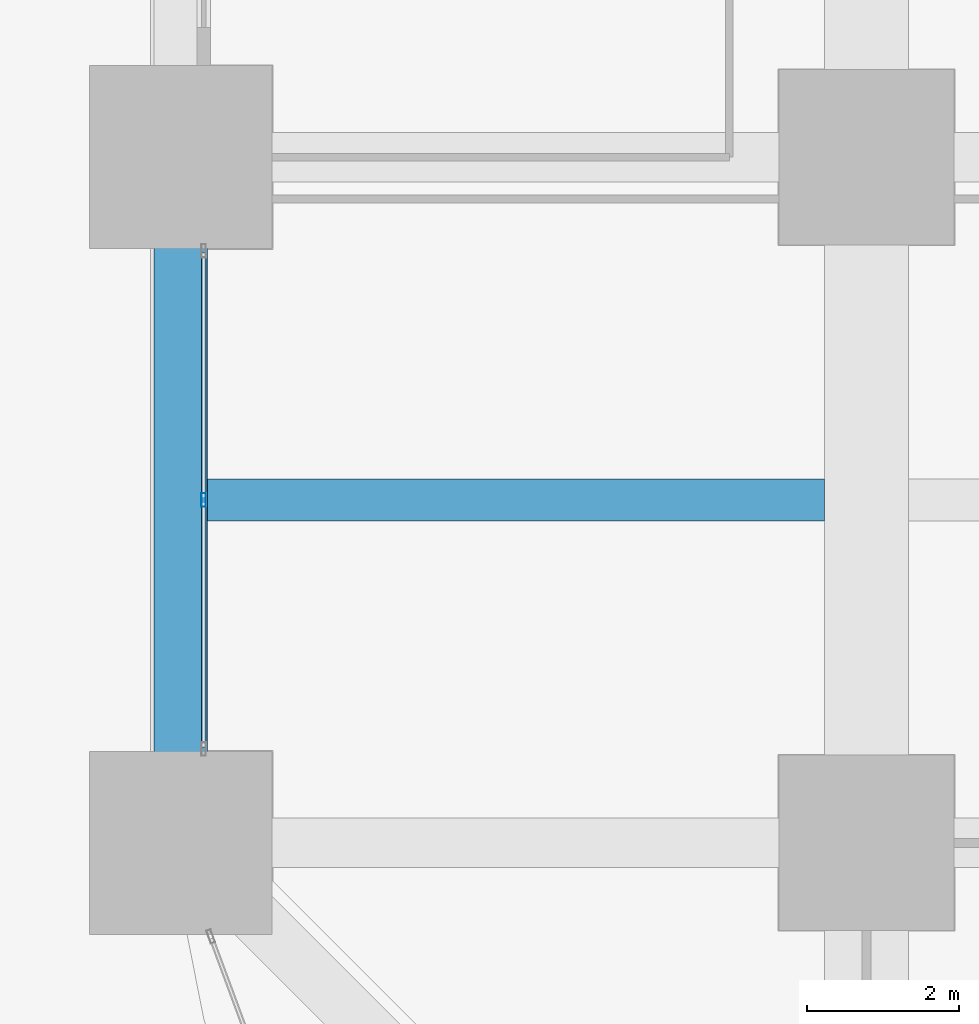
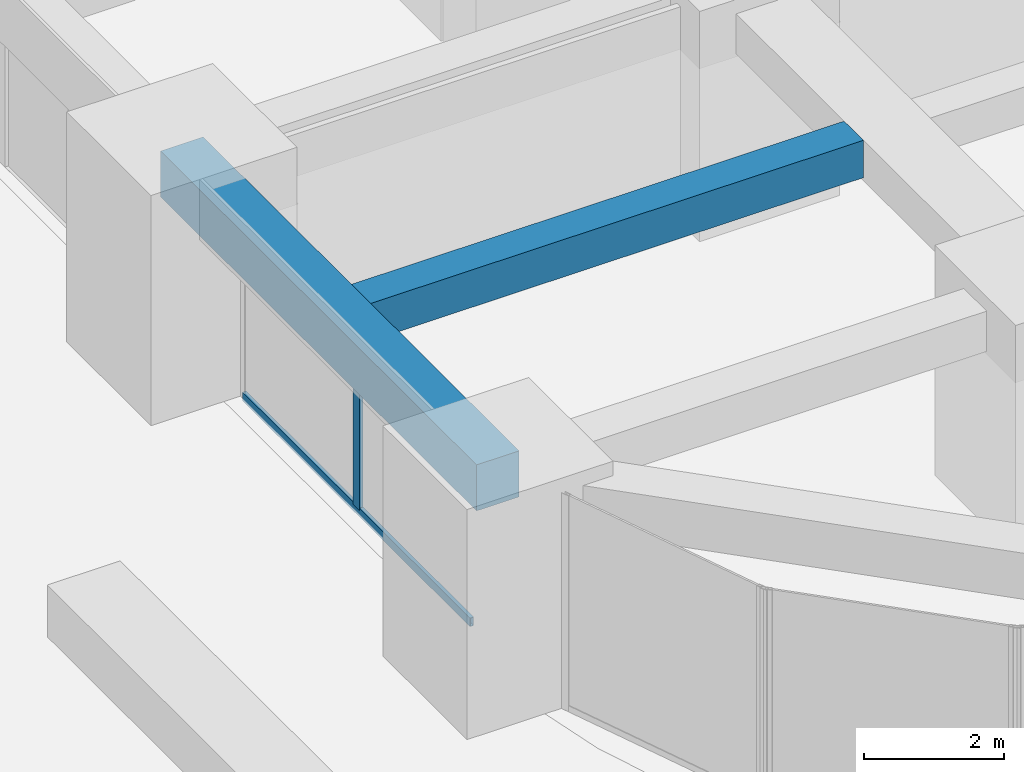
# One storey, part 3 of 38: 2 beams, 2 members, 1 element without a shape of its own.
"""IFC4 building model written with IfcOpenShell, lengths in metres."""

from ifc_helpers import new_model, si_unit, direction, frame, origin, origin_2d, place, context, subcontext, project, spatial, rectangle, hollow_rectangle, extrude, material, material_profile, profile_set, type_object, element, aggregate, save


model = new_model("IFC4")

# Units and contexts
model_context = context("Model", 3, precision=1e-05, world=origin(), true_north=direction((0.0, 1.0)))
body_context = subcontext(model_context, "Body", "Model", "MODEL_VIEW")
ifc_project = project(units=[si_unit("LENGTHUNIT", "METRE"), si_unit("AREAUNIT", "SQUARE_METRE"), si_unit("VOLUMEUNIT", "CUBIC_METRE"), si_unit("PLANEANGLEUNIT", "RADIAN"), si_unit("MASSUNIT", "GRAM", prefix="KILO")], contexts=[model_context])

# Site, building, storey
site_placement = place(None, origin())
site = spatial("IfcSite", under=ifc_project, at=site_placement, CompositionType="ELEMENT")
building_placement = place(site_placement, origin())
building = spatial("IfcBuilding", under=site, at=building_placement, Name="Zorevar Civic Tower", CompositionType="ELEMENT")
storey_placement = place(building_placement, frame((0.0, 0.0, 15.800048828125)))
storey = spatial("IfcBuildingStorey", under=building, at=storey_placement, Name="L03", CompositionType="ELEMENT", Elevation=15.800048828125)

# Beam
ifc_material_1 = material(Name="Concrete C50/60", Category="concrete")
ifc_material_profile_1 = material_profile(ifc_material_1, rectangle(XDim=0.550048828125, YDim=0.64990234375, at=origin_2d()), Name="RC 550x650")
ifc_profile_set_1 = profile_set([ifc_material_profile_1], Name="Concrete C50/60")
beam_type_1 = type_object("IfcBeamType", Name="Beam RC 550x650", PredefinedType="BEAM", material=ifc_profile_set_1)
beam_1_placement = place(storey_placement, frame((0.35009765625, 13.5, 3.425048828125), z_axis=(1.0, 0.0, 0.0), x_axis=(0.0, 1.0, 0.0)))
element("IfcBeam", 1, at=beam_1_placement, inside=storey, type_object=beam_type_1, Name="Secondary beam L04", PredefinedType="BEAM", context=body_context, shape_type="SweptSolid", body=[
    extrude(rectangle(XDim=0.550048828125, YDim=0.64990234375, at=origin_2d()), origin(), (0.0, 0.0, 1.0), 8.099853515625),
])

# Curtain wall, members
ifc_material_2 = material(Name="Dark grey solar-control glass in black aluminium frame", Category="aluminium")
curtain_wall_type = type_object("IfcCurtainWallType", Name="Curtain wall CW2 low zone", PredefinedType="NOTDEFINED", material=ifc_material_2)
curtain_wall_placement = place(storey_placement, origin())
curtain_wall = element("IfcCurtainWall", 2, at=curtain_wall_placement, inside=storey, type_object=curtain_wall_type, Name="CW2 L03", PredefinedType="NOTDEFINED")
ifc_material_3 = material(Name="Aluminium, black anodised", Category="aluminium")
ifc_material_profile_2 = material_profile(ifc_material_3, hollow_rectangle(XDim=0.06005859375, YDim=0.179931640625, WallThickness=0.00390625, at=origin_2d()), Name="AL 180x60x4")
ifc_profile_set_2 = profile_set([ifc_material_profile_2], Name="Aluminium, black anodised")
member_type_1 = type_object("IfcMemberType", Name="CW2 mullion AL 180x60x4", PredefinedType="MULLION", material=ifc_profile_set_2)
member_1_placement = place(storey_placement, frame((0.300048828125, 13.5, 0.06005859375), z_axis=(0.0, 0.0, 1.0), x_axis=(-1.0, 0.0, 0.0)))
member_1 = element("IfcMember", 3, at=member_1_placement, type_object=member_type_1, Name="CW2 mullion 2", PredefinedType="MULLION", context=body_context, shape_type="SweptSolid", body=[
    extrude(hollow_rectangle(XDim=0.06005859375, YDim=0.179931640625, WallThickness=0.00390625, at=origin_2d()), origin(), (0.0, 0.0, 1.0), 2.889892578125),
])
ifc_material_4 = material(Name="Aluminium, black anodised", Category="aluminium")
ifc_material_profile_3 = material_profile(ifc_material_4, hollow_rectangle(XDim=0.06005859375, YDim=0.14990234375, WallThickness=0.00390625, at=origin_2d()), Name="AL 150x60x4")
ifc_profile_set_3 = profile_set([ifc_material_profile_3], Name="Aluminium, black anodised")
member_type_2 = type_object("IfcMemberType", Name="CW2 transom AL 150x60x4", PredefinedType="USERDEFINED", material=ifc_profile_set_3)
member_2_placement = place(storey_placement, frame((0.300048828125, 10.260009765625, 0.030029296875), z_axis=(0.0, 1.0, 0.0), x_axis=(-1.0, 0.0, 0.0)))
member_2 = element("IfcMember", 4, at=member_2_placement, type_object=member_type_2, Name="CW2 sill transom", ObjectType="TRANSOM", PredefinedType="USERDEFINED", context=body_context, shape_type="SweptSolid", body=[
    extrude(hollow_rectangle(XDim=0.06005859375, YDim=0.14990234375, WallThickness=0.00390625, at=origin_2d()), origin(), (0.0, 0.0, 1.0), 6.47998046875),
])
aggregate(curtain_wall, [member_1, member_2])

# Beam
ifc_material_5 = material(Name="Concrete C50/60", Category="concrete")
ifc_material_profile_4 = material_profile(ifc_material_5, rectangle(XDim=0.699951171875, YDim=0.800048828125, at=origin_2d()), Name="RC 700x800")
ifc_profile_set_4 = profile_set([ifc_material_profile_4], Name="Concrete C50/60")
beam_type_2 = type_object("IfcBeamType", Name="Edge beam RC 700x800", PredefinedType="SPANDREL", material=ifc_profile_set_4)
beam_2_placement = place(storey_placement, frame((0.0, 9.0, 3.349853515625), z_axis=(0.0, 1.0, 0.0), x_axis=(-1.0, 0.0, 0.0)))
element("IfcBeam", 5, at=beam_2_placement, inside=storey, type_object=beam_type_2, Name="Edge beam L04", PredefinedType="SPANDREL", context=body_context, shape_type="SweptSolid", body=[
    extrude(rectangle(XDim=0.699951171875, YDim=0.800048828125, at=origin_2d()), origin(), (0.0, 0.0, 1.0), 9.0),
])

save(model, "model.ifc")
